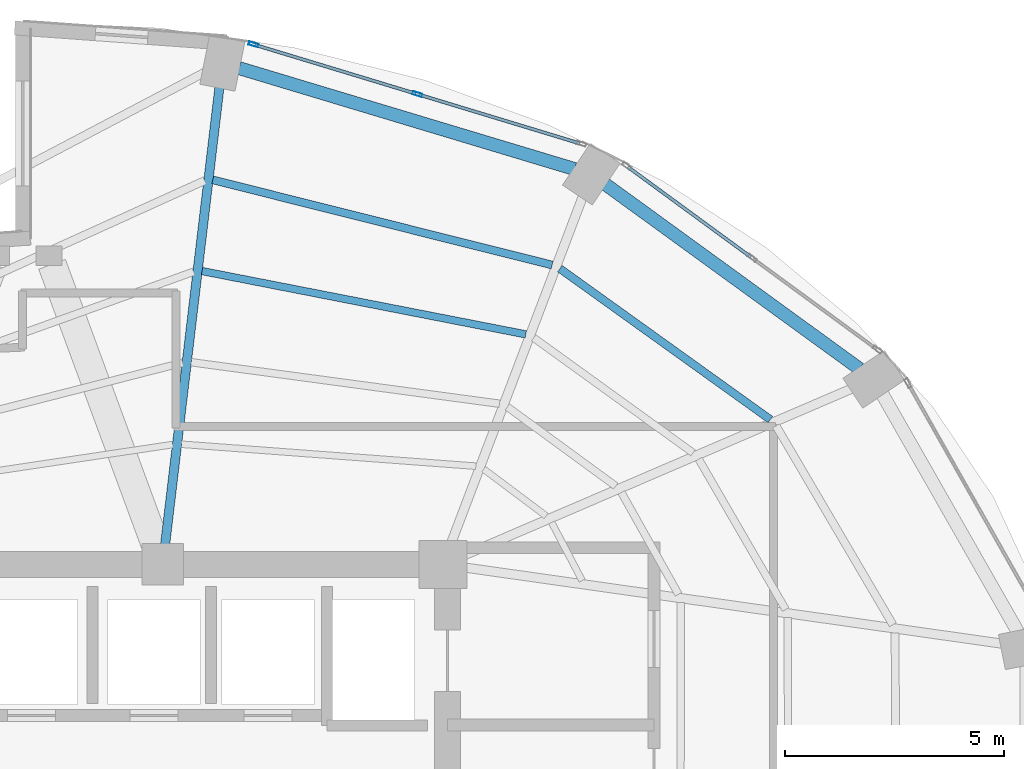
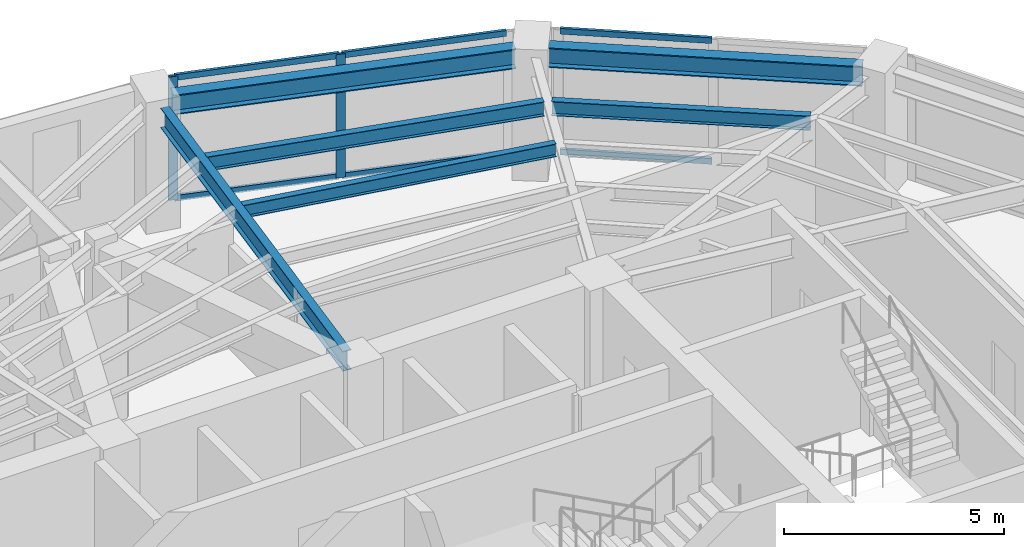
# One storey, part 13 of 20: 8 members, 6 beams, 2 elements without a shape of their own.
"""IFC4 building model written with IfcOpenShell, lengths in metres."""

from ifc_helpers import new_model, si_unit, direction, frame, origin, origin_2d, place, context, subcontext, project, spatial, hollow_rectangle, i_section, extrude, material, layer, layer_set, material_profile, profile_set, type_object, element, aggregate, save


model = new_model("IFC4")

# Units and contexts
model_context = context("Model", 3, precision=1e-05, world=origin(), true_north=direction((0.0, 1.0)))
body_context = subcontext(model_context, "Body", "Model", "MODEL_VIEW")
ifc_project = project(units=[si_unit("LENGTHUNIT", "METRE"), si_unit("AREAUNIT", "SQUARE_METRE"), si_unit("VOLUMEUNIT", "CUBIC_METRE"), si_unit("PLANEANGLEUNIT", "RADIAN"), si_unit("MASSUNIT", "GRAM", prefix="KILO")], contexts=[model_context])

# Site, building, storey
site_placement = place(None, origin())
site = spatial("IfcSite", under=ifc_project, at=site_placement, CompositionType="ELEMENT")
building_placement = place(site_placement, origin())
building = spatial("IfcBuilding", under=site, at=building_placement, Name="Lazwardi Medical Tower", CompositionType="ELEMENT")
storey_placement = place(building_placement, frame((0.0, 0.0, 174.76806640625)))
storey = spatial("IfcBuildingStorey", under=building, at=storey_placement, Name="L45", CompositionType="ELEMENT", Elevation=174.76806640625)

# Beams
ifc_material_1 = material(Name="Steel S355", Category="steel")
ifc_material_profile_1 = material_profile(ifc_material_1, i_section(OverallWidth=0.300048828125, OverallDepth=0.550048828125, WebThickness=0.014892578125, FlangeThickness=0.029052734375, at=origin_2d()), Name="HEB 550")
ifc_profile_set_1 = profile_set([ifc_material_profile_1], Name="Steel S355")
beam_type_1 = type_object("IfcBeamType", Name="BM-RB-Z3", PredefinedType="BEAM", material=ifc_profile_set_1)
beam_1_placement = place(storey_placement, frame((55.11181640625, 40.06591796875, 3.15283203125), z_axis=(-0.809127570774, 0.587633026824, 0.0), x_axis=(-0.587633026824, -0.809127570774, 0.0)))
element("IfcBeam", 1, at=beam_1_placement, inside=storey, type_object=beam_type_1, Name="Ring beam RB-04 B06 L45", PredefinedType="BEAM", context=body_context, shape_type="SweptSolid", body=[
    extrude(i_section(OverallWidth=0.300048828125, OverallDepth=0.550048828125, WebThickness=0.014892578125, FlangeThickness=0.029052734375, at=origin_2d()), origin(), (0.0, 0.0, 1.0), 7.170166015625),
])
beam_2_placement = place(storey_placement, frame((48.603515625, 44.62939453125, 3.15283203125), z_axis=(-0.957616873483, 0.288045002771, 0.0), x_axis=(-0.288045002771, -0.957616873483, 0.0)))
element("IfcBeam", 2, at=beam_2_placement, inside=storey, type_object=beam_type_1, Name="Ring beam RB-04 B07 L45", PredefinedType="BEAM", context=body_context, shape_type="SweptSolid", body=[
    extrude(i_section(OverallWidth=0.300048828125, OverallDepth=0.550048828125, WebThickness=0.014892578125, FlangeThickness=0.029052734375, at=origin_2d()), origin(), (0.0, 0.0, 1.0), 7.99951171875),
])
ifc_material_profile_2 = material_profile(ifc_material_1, i_section(OverallWidth=0.2099609375, OverallDepth=0.550048828125, WebThickness=0.010986328125, FlangeThickness=0.01708984375, at=origin_2d()), Name="IPE 550")
ifc_profile_set_2 = profile_set([ifc_material_profile_2], Name="Steel S355")
beam_type_2 = type_object("IfcBeamType", Name="BM-RG-W2", PredefinedType="BEAM", material=ifc_profile_set_2)
beam_3_placement = place(storey_placement, frame((40.494140625, 46.49267578125, 3.15283203125), z_axis=(-0.117968004211, -0.993017396616, 0.0), x_axis=(0.993017396616, -0.117968004211, 0.0)))
element("IfcBeam", 3, at=beam_3_placement, inside=storey, type_object=beam_type_2, Name="Radial girder RG-03 R08 L45", PredefinedType="BEAM", context=body_context, shape_type="SweptSolid", body=[
    extrude(i_section(OverallWidth=0.2099609375, OverallDepth=0.550048828125, WebThickness=0.010986328125, FlangeThickness=0.01708984375, at=origin_2d()), origin(), (0.0, 0.0, 1.0), 10.50927734375),
])
ifc_material_profile_3 = material_profile(ifc_material_1, i_section(OverallWidth=0.179931640625, OverallDepth=0.39990234375, WebThickness=0.008544921875, FlangeThickness=0.013427734375, at=origin_2d()), Name="IPE 400")
ifc_profile_set_3 = profile_set([ifc_material_profile_3], Name="Steel S355")
beam_type_3 = type_object("IfcBeamType", Name="BM-SJ-01", PredefinedType="JOIST", material=ifc_profile_set_3)
beam_4_placement = place(storey_placement, frame((53.073974609375, 38.908203125, 3.22802734375), z_axis=(-0.812602017757, 0.582818977675, 0.0), x_axis=(-0.582818977675, -0.812602017757, 0.0)))
element("IfcBeam", 4, at=beam_4_placement, inside=storey, type_object=beam_type_3, Name="Secondary joist SJ-01 R1 B06 L45", PredefinedType="JOIST", context=body_context, shape_type="SweptSolid", body=[
    extrude(i_section(OverallWidth=0.179931640625, OverallDepth=0.39990234375, WebThickness=0.008544921875, FlangeThickness=0.013427734375, at=origin_2d()), origin(), (0.0, 0.0, 1.0), 5.91259765625),
])
beam_5_placement = place(storey_placement, frame((48.091064453125, 42.43701171875, 3.22802734375), z_axis=(-0.969933596942, 0.243369713652, 0.0), x_axis=(-0.243369713652, -0.969933596942, 0.0)))
element("IfcBeam", 5, at=beam_5_placement, inside=storey, type_object=beam_type_3, Name="Secondary joist SJ-01 R1 B07 L45", PredefinedType="JOIST", context=body_context, shape_type="SweptSolid", body=[
    extrude(i_section(OverallWidth=0.179931640625, OverallDepth=0.39990234375, WebThickness=0.008544921875, FlangeThickness=0.013427734375, at=origin_2d()), origin(), (0.0, 0.0, 1.0), 7.98828125),
])
ifc_material_profile_4 = material_profile(ifc_material_1, i_section(OverallWidth=0.169921875, OverallDepth=0.360107421875, WebThickness=0.008056640625, FlangeThickness=0.0126953125, at=origin_2d()), Name="IPE 360")
ifc_profile_set_4 = profile_set([ifc_material_profile_4], Name="Steel S355")
beam_type_4 = type_object("IfcBeamType", Name="BM-SJ-02", PredefinedType="JOIST", material=ifc_profile_set_4)
beam_6_placement = place(storey_placement, frame((47.490478515625, 40.853515625, 3.248046875), z_axis=(-0.98141534692, 0.191895588353, 0.0), x_axis=(-0.191895588353, -0.98141534692, 0.0)))
element("IfcBeam", 6, at=beam_6_placement, inside=storey, type_object=beam_type_4, Name="Secondary joist SJ-02 R2 B07 L45", PredefinedType="JOIST", context=body_context, shape_type="SweptSolid", body=[
    extrude(i_section(OverallWidth=0.169921875, OverallDepth=0.360107421875, WebThickness=0.008056640625, FlangeThickness=0.0126953125, at=origin_2d()), origin(), (0.0, 0.0, 1.0), 7.534423828125),
])

# Curtain wall, members
ifc_material_2 = material(Name="Anodised bronze aluminium and solar control glazing", Category="aluminium")
ifc_layer = layer(ifc_material_2, 0.195068359375)
ifc_layer_set = layer_set([ifc_layer], Name="Anodised bronze aluminium and solar control glazing")
curtain_wall_type = type_object("IfcCurtainWallType", Name="CW-SYS-03", PredefinedType="NOTDEFINED", material=ifc_layer_set)
curtain_wall_1_placement = place(storey_placement, origin())
curtain_wall_1 = element("IfcCurtainWall", 7, at=curtain_wall_1_placement, inside=storey, type_object=curtain_wall_type, Name="L45 Unitised bronze curtain wall CW-03", PredefinedType="NOTDEFINED")
ifc_material_3 = material(Name="Anodised bronze aluminium", Category="aluminium")
ifc_material_profile_5 = material_profile(ifc_material_3, hollow_rectangle(XDim=0.074951171875, YDim=0.219970703125, WallThickness=0.00390625, at=origin_2d()), Name="ALU-MULLION 220x75x4")
ifc_profile_set_5 = profile_set([ifc_material_profile_5], Name="Anodised bronze aluminium")
member_type_1 = type_object("IfcMemberType", Name="CW-MUL-01", PredefinedType="MULLION", material=ifc_profile_set_5)
member_1_placement = place(storey_placement, frame((45.01513671875, 46.338623046875, 0.0), z_axis=(0.0, 0.0, 1.0), x_axis=(-0.290280785441, -0.956941516292, 0.0)))
member_1 = element("IfcMember", 8, at=member_1_placement, type_object=member_type_1, Name="CW-03 mullion 2", PredefinedType="MULLION", context=body_context, shape_type="SweptSolid", body=[
    extrude(hollow_rectangle(XDim=0.074951171875, YDim=0.219970703125, WallThickness=0.00390625, at=origin_2d()), origin(), (0.0, 0.0, 1.0), 3.427978515625),
])
member_2_placement = place(storey_placement, frame((41.27197265625, 47.47412109375, 0.0), z_axis=(0.0, 0.0, 1.0), x_axis=(-0.290280785441, -0.956941516292, 0.0)))
member_2 = element("IfcMember", 9, at=member_2_placement, type_object=member_type_1, Name="CW-03 mullion 3", PredefinedType="MULLION", context=body_context, shape_type="SweptSolid", body=[
    extrude(hollow_rectangle(XDim=0.074951171875, YDim=0.219970703125, WallThickness=0.00390625, at=origin_2d()), origin(), (0.0, 0.0, 1.0), 3.427978515625),
])

curtain_wall_2_placement = place(storey_placement, origin())
curtain_wall_2 = element("IfcCurtainWall", 10, at=curtain_wall_2_placement, inside=storey, type_object=curtain_wall_type, Name="L45 Unitised bronze curtain wall CW-03", PredefinedType="NOTDEFINED")
ifc_material_profile_6 = material_profile(ifc_material_3, hollow_rectangle(XDim=0.074951171875, YDim=0.159912109375, WallThickness=0.00390625, at=origin_2d()), Name="ALU-TRANSOM 160x75x4")
ifc_profile_set_6 = profile_set([ifc_material_profile_6], Name="Anodised bronze aluminium")
member_type_2 = type_object("IfcMemberType", Name="CW-TRN-01", PredefinedType="USERDEFINED", material=ifc_profile_set_6)
member_3_placement = place(storey_placement, frame((52.62744140625, 42.62109375, 0.037353515625), z_axis=(-0.806807161185, 0.590814864962, 0.0), x_axis=(-0.590814864962, -0.806807161185, 0.0)))
member_3 = element("IfcMember", 11, at=member_3_placement, type_object=member_type_2, Name="CW-03 transom 2.1", ObjectType="TRANSOM", PredefinedType="USERDEFINED", context=body_context, shape_type="SweptSolid", body=[
    extrude(hollow_rectangle(XDim=0.074951171875, YDim=0.159912109375, WallThickness=0.00390625, at=origin_2d()), origin(), (0.0, 0.0, 1.0), 3.472412109375),
])
member_4_placement = place(storey_placement, frame((52.62744140625, 42.62109375, 3.390380859375), z_axis=(-0.806807161185, 0.590814864962, 0.0), x_axis=(-0.590814864962, -0.806807161185, 0.0)))
member_4 = element("IfcMember", 12, at=member_4_placement, type_object=member_type_2, Name="CW-03 transom 2.2", ObjectType="TRANSOM", PredefinedType="USERDEFINED", context=body_context, shape_type="SweptSolid", body=[
    extrude(hollow_rectangle(XDim=0.074951171875, YDim=0.159912109375, WallThickness=0.00390625, at=origin_2d()), origin(), (0.0, 0.0, 1.0), 3.472412109375),
])
aggregate(curtain_wall_2, [member_3, member_4])

# Member
member_5_placement = place(storey_placement, frame((48.72216796875, 45.214111328125, 0.037353515625), z_axis=(-0.956930154175, 0.290318239233, 0.0), x_axis=(-0.290318239233, -0.956930154175, 0.0)))
member_5 = element("IfcMember", 13, at=member_5_placement, type_object=member_type_2, Name="CW-03 transom 1.1", ObjectType="TRANSOM", PredefinedType="USERDEFINED", context=body_context, shape_type="SweptSolid", body=[
    extrude(hollow_rectangle(XDim=0.074951171875, YDim=0.159912109375, WallThickness=0.00390625, at=origin_2d()), origin(), (0.0, 0.0, 1.0), 3.83642578125),
])

member_6_placement = place(storey_placement, frame((48.72216796875, 45.214111328125, 3.390380859375), z_axis=(-0.956930154175, 0.290318239233, 0.0), x_axis=(-0.290318239233, -0.956930154175, 0.0)))
member_6 = element("IfcMember", 14, at=member_6_placement, type_object=member_type_2, Name="CW-03 transom 1.2", ObjectType="TRANSOM", PredefinedType="USERDEFINED", context=body_context, shape_type="SweptSolid", body=[
    extrude(hollow_rectangle(XDim=0.074951171875, YDim=0.159912109375, WallThickness=0.00390625, at=origin_2d()), origin(), (0.0, 0.0, 1.0), 3.83642578125),
])

member_7_placement = place(storey_placement, frame((44.979248046875, 46.349609375, 0.037353515625), z_axis=(-0.95695319357, 0.290242287264, 0.0), x_axis=(-0.290242287264, -0.95695319357, 0.0)))
member_7 = element("IfcMember", 15, at=member_7_placement, type_object=member_type_2, Name="CW-03 transom 2.1", ObjectType="TRANSOM", PredefinedType="USERDEFINED", context=body_context, shape_type="SweptSolid", body=[
    extrude(hollow_rectangle(XDim=0.074951171875, YDim=0.159912109375, WallThickness=0.00390625, at=origin_2d()), origin(), (0.0, 0.0, 1.0), 3.83642578125),
])

member_8_placement = place(storey_placement, frame((44.979248046875, 46.349609375, 3.390380859375), z_axis=(-0.95695319357, 0.290242287264, 0.0), x_axis=(-0.290242287264, -0.95695319357, 0.0)))
member_8 = element("IfcMember", 16, at=member_8_placement, type_object=member_type_2, Name="CW-03 transom 2.2", ObjectType="TRANSOM", PredefinedType="USERDEFINED", context=body_context, shape_type="SweptSolid", body=[
    extrude(hollow_rectangle(XDim=0.074951171875, YDim=0.159912109375, WallThickness=0.00390625, at=origin_2d()), origin(), (0.0, 0.0, 1.0), 3.83642578125),
])

aggregate(curtain_wall_1, [member_1, member_2, member_5, member_6, member_7, member_8])

save(model, "model.ifc")
